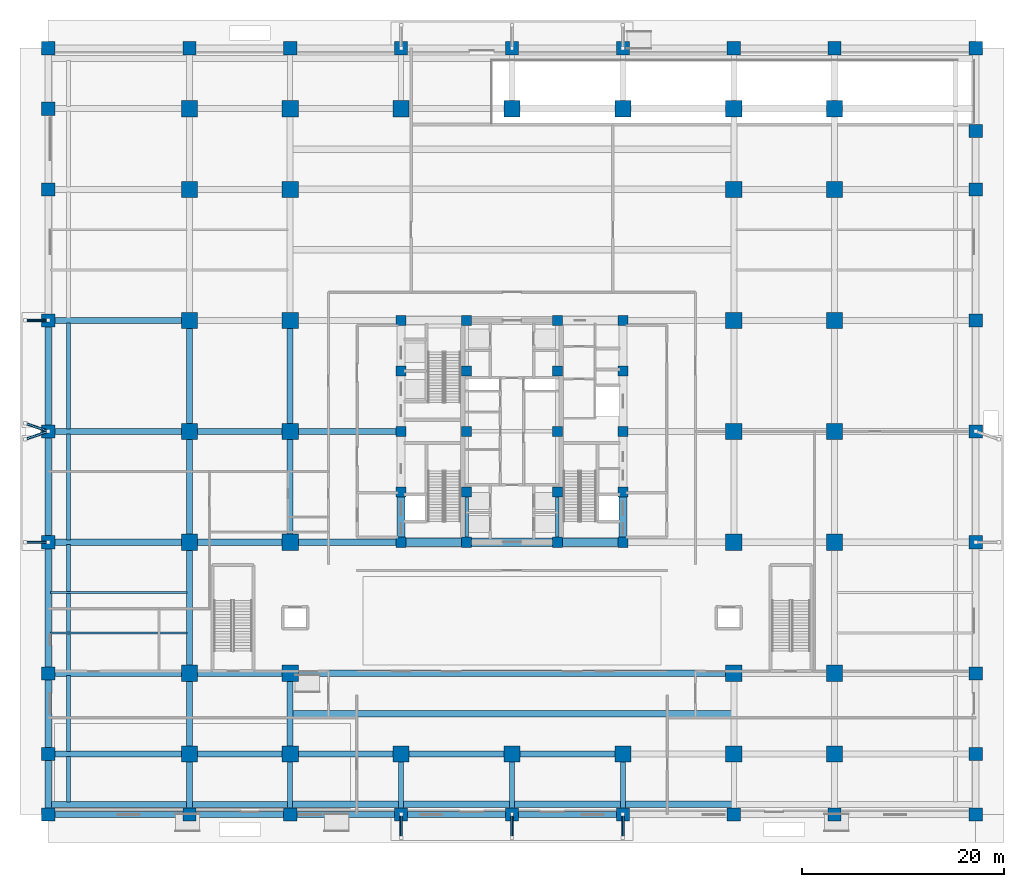
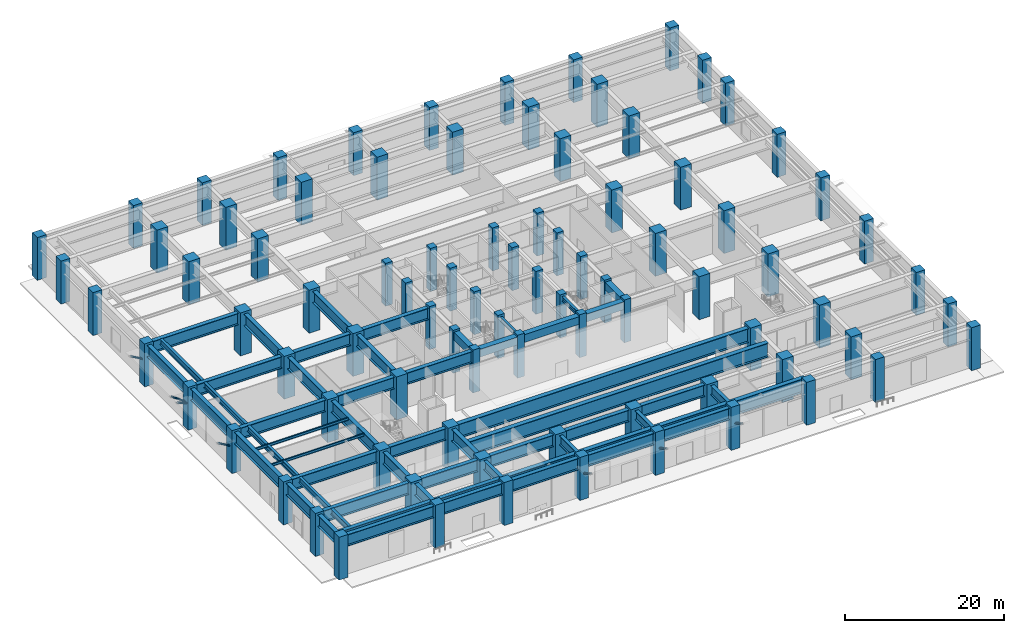
# One storey, part 1 of 21: 86 columns, 55 beams, 7 members.
"""IFC4 building model written with IfcOpenShell, lengths in metres."""

from ifc_helpers import new_model, si_unit, direction, frame, origin, origin_2d, place, context, subcontext, project, spatial, rectangle, hollow_circle, i_section, extrude, source, transform, mapped, material, material_profile, profile_set, type_object, element, save


model = new_model("IFC4")

# Units and contexts
model_context = context("Model", 3, precision=1e-05, world=origin(), true_north=direction((0.0, 1.0)))
body_context = subcontext(model_context, "Body", "Model", "MODEL_VIEW")
ifc_project = project(units=[si_unit("LENGTHUNIT", "METRE"), si_unit("AREAUNIT", "SQUARE_METRE"), si_unit("VOLUMEUNIT", "CUBIC_METRE"), si_unit("PLANEANGLEUNIT", "RADIAN"), si_unit("MASSUNIT", "GRAM", prefix="KILO")], contexts=[model_context])

# Site, building, storey
site_placement = place(None, origin())
site = spatial("IfcSite", under=ifc_project, at=site_placement, CompositionType="ELEMENT")
building_placement = place(site_placement, origin())
building = spatial("IfcBuilding", under=site, at=building_placement, Name="Khorayat Bourse Tower", CompositionType="ELEMENT")
storey_placement = place(building_placement, origin())
storey = spatial("IfcBuildingStorey", under=building, at=storey_placement, Name="L00", CompositionType="ELEMENT", Elevation=0.0)

# Columns
ifc_material_1 = material(Name="Concrete C72/90", Category="concrete")
ifc_material_profile_1 = material_profile(ifc_material_1, rectangle(XDim=1.300048828125, YDim=1.300048828125, at=origin_2d()), Name="RC 1300x1300")
ifc_profile_set_1 = profile_set([ifc_material_profile_1], Name="Concrete C72/90")
column_type_1 = type_object("IfcColumnType", Name="COL-MEGA-1300", PredefinedType="COLUMN", material=ifc_profile_set_1)
shared_shape_1 = source(origin(), body_context, "Body", "SweptSolid", [
    extrude(rectangle(XDim=1.300048828125, YDim=1.300048828125, at=origin_2d()), origin(), (0.0, 0.0, 1.0), 6.60009765625),
])
for number, where, z_axis, x_axis, name in (
    (1, (-46.0, -38.0, 0.0), (0.0, 0.0, 1.0), (1.0, 0.0, 0.0), "L00 Column 001"),
    (2, (-46.0, -24.0, 0.0), (0.0, 0.0, 1.0), (1.0, 0.0, 0.0), "L00 Column 002"),
    (3, (-46.0, -11.0, 0.0), (0.0, 0.0, 1.0), (1.0, 0.0, 0.0), "L00 Column 003"),
    (4, (-46.0, 0.0, 0.0), (0.0, 0.0, 1.0), (1.0, 0.0, 0.0), "L00 Column 004"),
    (5, (-46.0, 11.0, 0.0), (0.0, 0.0, 1.0), (1.0, 0.0, 0.0), "L00 Column 005"),
    (6, (-46.0, 24.0, 0.0), (0.0, 0.0, 1.0), (1.0, 0.0, 0.0), "L00 Column 006"),
    (7, (-46.0, 38.0, 0.0), (0.0, 0.0, 1.0), (1.0, 0.0, 0.0), "L00 Column 007"),
    (8, (-32.0, -38.0, 0.0), (0.0, 0.0, 1.0), (1.0, 0.0, 0.0), "L00 Column 008"),
    (9, (-32.0, 38.0, 0.0), (0.0, 0.0, 1.0), (1.0, 0.0, 0.0), "L00 Column 016"),
    (10, (-22.0, -38.0, 0.0), (0.0, 0.0, 1.0), (1.0, 0.0, 0.0), "L00 Column 017"),
    (11, (-22.0, 38.0, 0.0), (0.0, 0.0, 1.0), (1.0, 0.0, 0.0), "L00 Column 025"),
    (12, (-11.0, -38.0, 0.0), (0.0, 0.0, 1.0), (1.0, 0.0, 0.0), "L00 Column 026"),
    (13, (-11.0, 38.0, 0.0), (0.0, 0.0, 1.0), (1.0, 0.0, 0.0), "L00 Column 034"),
    (14, (0.0, -38.0, 0.0), (0.0, 0.0, 1.0), (1.0, 0.0, 0.0), "L00 Column 040"),
    (15, (0.0, 38.0, 0.0), (0.0, 0.0, 1.0), (1.0, 0.0, 0.0), "L00 Column 043"),
    (16, (11.0, -38.0, 0.0), (0.0, 0.0, 1.0), (1.0, 0.0, 0.0), "L00 Column 049"),
    (17, (11.0, 38.0, 0.0), (0.0, 0.0, 1.0), (1.0, 0.0, 0.0), "L00 Column 057"),
    (18, (22.0, -38.0, 0.0), (0.0, 0.0, 1.0), (1.0, 0.0, 0.0), "L00 Column 058"),
    (19, (22.0, 38.0, 0.0), (0.0, 0.0, 1.0), (1.0, 0.0, 0.0), "L00 Column 066"),
    (20, (32.0, -38.0, 0.0), (0.0, 0.0, 1.0), (1.0, 0.0, 0.0), "L00 Column 067"),
    (21, (32.0, 38.0, 0.0), (0.0, 0.0, 1.0), (1.0, 0.0, 0.0), "L00 Column 075"),
    (22, (46.0, -38.0, 0.0), (0.0, 0.0, 1.0), (1.0, 0.0, 0.0), "L00 Column 076"),
    (23, (46.0, -24.0, 0.0), (0.0, 0.0, 1.0), (1.0, 0.0, 0.0), "L00 Column 077"),
    (24, (46.0, -11.0, 0.0), (0.0, 0.0, 1.0), (1.0, 0.0, 0.0), "L00 Column 078"),
    (25, (46.0, 0.0, 0.0), (0.0, 0.0, 1.0), (1.0, 0.0, 0.0), "L00 Column 079"),
    (26, (46.0, 11.0, 0.0), (0.0, 0.0, 1.0), (1.0, 0.0, 0.0), "L00 Column 080"),
    (27, (46.0, 24.0, 0.0), (0.0, 0.0, 1.0), (1.0, 0.0, 0.0), "L00 Column 081"),
    (28, (46.0, 38.0, 0.0), (0.0, 0.0, 1.0), (1.0, 0.0, 0.0), "L00 Column 082"),
    (29, (-46.0, -32.0, 0.0), (0.0, 0.0, 1.0), (1.0, 0.0, 0.0), "L00 Perimeter Step Column 1"),
    (30, (-46.0, 32.0, 0.0), (0.0, 0.0, 1.0), (1.0, 0.0, 0.0), "L00 Perimeter Step Column 2"),
    (31, (46.0, -32.0, 0.0), (0.0, 0.0, 1.0), (1.0, 0.0, 0.0), "L00 Perimeter Step Column 3"),
    (32, (46.0, 29.800048828125, 0.0), (0.0, 0.0, 1.0), (1.0, 0.0, 0.0), "L00 Perimeter Step Column 4"),
):
    element("IfcColumn", number, at=place(storey_placement, frame(where, z_axis=z_axis, x_axis=x_axis)), inside=storey, type_object=column_type_1, Name=name, PredefinedType="COLUMN", context=body_context, shape_type="MappedRepresentation", body=[
        mapped(shared_shape_1, transform((0.0, 0.0, 0.0), scale=1.0)),
    ])
ifc_material_profile_2 = material_profile(ifc_material_1, rectangle(XDim=1.60009765625, YDim=1.60009765625, at=origin_2d()), Name="RC 1600x1600")
ifc_profile_set_2 = profile_set([ifc_material_profile_2], Name="Concrete C72/90")
column_type_2 = type_object("IfcColumnType", Name="COL-MEGA-1600", PredefinedType="COLUMN", material=ifc_profile_set_2)
shared_shape_2 = source(origin(), body_context, "Body", "SweptSolid", [
    extrude(rectangle(XDim=1.60009765625, YDim=1.60009765625, at=origin_2d()), origin(), (0.0, 0.0, 1.0), 6.60009765625),
])
for number, where, z_axis, x_axis, name in (
    (33, (-32.0, -32.0, 0.0), (0.0, 0.0, 1.0), (1.0, 0.0, 0.0), "L00 Column 009"),
    (34, (-32.0, -24.0, 0.0), (0.0, 0.0, 1.0), (1.0, 0.0, 0.0), "L00 Column 010"),
    (35, (-32.0, -11.0, 0.0), (0.0, 0.0, 1.0), (1.0, 0.0, 0.0), "L00 Column 011"),
    (36, (-32.0, 0.0, 0.0), (0.0, 0.0, 1.0), (1.0, 0.0, 0.0), "L00 Column 012"),
    (37, (-32.0, 11.0, 0.0), (0.0, 0.0, 1.0), (1.0, 0.0, 0.0), "L00 Column 013"),
    (38, (-32.0, 24.0, 0.0), (0.0, 0.0, 1.0), (1.0, 0.0, 0.0), "L00 Column 014"),
    (39, (-32.0, 32.0, 0.0), (0.0, 0.0, 1.0), (1.0, 0.0, 0.0), "L00 Column 015"),
    (40, (-22.0, -32.0, 0.0), (0.0, 0.0, 1.0), (1.0, 0.0, 0.0), "L00 Column 018"),
    (41, (-22.0, -24.0, 0.0), (0.0, 0.0, 1.0), (1.0, 0.0, 0.0), "L00 Column 019"),
    (42, (-22.0, -11.0, 0.0), (0.0, 0.0, 1.0), (1.0, 0.0, 0.0), "L00 Column 020"),
    (43, (-22.0, 0.0, 0.0), (0.0, 0.0, 1.0), (1.0, 0.0, 0.0), "L00 Column 021"),
    (44, (-22.0, 11.0, 0.0), (0.0, 0.0, 1.0), (1.0, 0.0, 0.0), "L00 Column 022"),
    (45, (-22.0, 24.0, 0.0), (0.0, 0.0, 1.0), (1.0, 0.0, 0.0), "L00 Column 023"),
    (46, (-22.0, 32.0, 0.0), (0.0, 0.0, 1.0), (1.0, 0.0, 0.0), "L00 Column 024"),
    (47, (-11.0, -32.0, 0.0), (0.0, 0.0, 1.0), (1.0, 0.0, 0.0), "L00 Column 027"),
    (48, (-11.0, 32.0, 0.0), (0.0, 0.0, 1.0), (1.0, 0.0, 0.0), "L00 Column 033"),
    (49, (0.0, -32.0, 0.0), (0.0, 0.0, 1.0), (1.0, 0.0, 0.0), "L00 Column 041"),
    (50, (0.0, 32.0, 0.0), (0.0, 0.0, 1.0), (1.0, 0.0, 0.0), "L00 Column 042"),
    (51, (11.0, -32.0, 0.0), (0.0, 0.0, 1.0), (1.0, 0.0, 0.0), "L00 Column 050"),
    (52, (11.0, 32.0, 0.0), (0.0, 0.0, 1.0), (1.0, 0.0, 0.0), "L00 Column 056"),
    (53, (22.0, -32.0, 0.0), (0.0, 0.0, 1.0), (1.0, 0.0, 0.0), "L00 Column 059"),
    (54, (22.0, -24.0, 0.0), (0.0, 0.0, 1.0), (1.0, 0.0, 0.0), "L00 Column 060"),
    (55, (22.0, -11.0, 0.0), (0.0, 0.0, 1.0), (1.0, 0.0, 0.0), "L00 Column 061"),
    (56, (22.0, 0.0, 0.0), (0.0, 0.0, 1.0), (1.0, 0.0, 0.0), "L00 Column 062"),
    (57, (22.0, 11.0, 0.0), (0.0, 0.0, 1.0), (1.0, 0.0, 0.0), "L00 Column 063"),
    (58, (22.0, 24.0, 0.0), (0.0, 0.0, 1.0), (1.0, 0.0, 0.0), "L00 Column 064"),
    (59, (22.0, 32.0, 0.0), (0.0, 0.0, 1.0), (1.0, 0.0, 0.0), "L00 Column 065"),
    (60, (32.0, -32.0, 0.0), (0.0, 0.0, 1.0), (1.0, 0.0, 0.0), "L00 Column 068"),
    (61, (32.0, -24.0, 0.0), (0.0, 0.0, 1.0), (1.0, 0.0, 0.0), "L00 Column 069"),
    (62, (32.0, -11.0, 0.0), (0.0, 0.0, 1.0), (1.0, 0.0, 0.0), "L00 Column 070"),
    (63, (32.0, 0.0, 0.0), (0.0, 0.0, 1.0), (1.0, 0.0, 0.0), "L00 Column 071"),
    (64, (32.0, 11.0, 0.0), (0.0, 0.0, 1.0), (1.0, 0.0, 0.0), "L00 Column 072"),
    (65, (32.0, 24.0, 0.0), (0.0, 0.0, 1.0), (1.0, 0.0, 0.0), "L00 Column 073"),
    (66, (32.0, 32.0, 0.0), (0.0, 0.0, 1.0), (1.0, 0.0, 0.0), "L00 Column 074"),
):
    element("IfcColumn", number, at=place(storey_placement, frame(where, z_axis=z_axis, x_axis=x_axis)), inside=storey, type_object=column_type_2, Name=name, PredefinedType="COLUMN", context=body_context, shape_type="MappedRepresentation", body=[
        mapped(shared_shape_2, transform((0.0, 0.0, 0.0), scale=1.0)),
    ])
ifc_material_profile_3 = material_profile(ifc_material_1, rectangle(XDim=1.0, YDim=1.0, at=origin_2d()), Name="RC 1000x1000")
ifc_profile_set_3 = profile_set([ifc_material_profile_3], Name="Concrete C72/90")
column_type_3 = type_object("IfcColumnType", Name="COL-CORE-1000", PredefinedType="COLUMN", material=ifc_profile_set_3)
shared_shape_3 = source(origin(), body_context, "Body", "SweptSolid", [
    extrude(rectangle(XDim=1.0, YDim=1.0, at=origin_2d()), origin(), (0.0, 0.0, 1.0), 6.60009765625),
])
for number, where, z_axis, x_axis, name in (
    (67, (-11.0, -11.0, 0.0), (0.0, 0.0, 1.0), (1.0, 0.0, 0.0), "L00 Column 028"),
    (68, (-11.0, -6.0, 0.0), (0.0, 0.0, 1.0), (1.0, 0.0, 0.0), "L00 Column 029"),
    (69, (-11.0, 0.0, 0.0), (0.0, 0.0, 1.0), (1.0, 0.0, 0.0), "L00 Column 030"),
    (70, (-11.0, 6.0, 0.0), (0.0, 0.0, 1.0), (1.0, 0.0, 0.0), "L00 Column 031"),
    (71, (-11.0, 11.0, 0.0), (0.0, 0.0, 1.0), (1.0, 0.0, 0.0), "L00 Column 032"),
    (72, (-4.5, -11.0, 0.0), (0.0, 0.0, 1.0), (1.0, 0.0, 0.0), "L00 Column 035"),
    (73, (-4.5, -6.0, 0.0), (0.0, 0.0, 1.0), (1.0, 0.0, 0.0), "L00 Column 036"),
    (74, (-4.5, 0.0, 0.0), (0.0, 0.0, 1.0), (1.0, 0.0, 0.0), "L00 Column 037"),
    (75, (-4.5, 6.0, 0.0), (0.0, 0.0, 1.0), (1.0, 0.0, 0.0), "L00 Column 038"),
    (76, (-4.5, 11.0, 0.0), (0.0, 0.0, 1.0), (1.0, 0.0, 0.0), "L00 Column 039"),
    (77, (4.5, -11.0, 0.0), (0.0, 0.0, 1.0), (1.0, 0.0, 0.0), "L00 Column 044"),
    (78, (4.5, -6.0, 0.0), (0.0, 0.0, 1.0), (1.0, 0.0, 0.0), "L00 Column 045"),
    (79, (4.5, 0.0, 0.0), (0.0, 0.0, 1.0), (1.0, 0.0, 0.0), "L00 Column 046"),
    (80, (4.5, 6.0, 0.0), (0.0, 0.0, 1.0), (1.0, 0.0, 0.0), "L00 Column 047"),
    (81, (4.5, 11.0, 0.0), (0.0, 0.0, 1.0), (1.0, 0.0, 0.0), "L00 Column 048"),
    (82, (11.0, -11.0, 0.0), (0.0, 0.0, 1.0), (1.0, 0.0, 0.0), "L00 Column 051"),
    (83, (11.0, -6.0, 0.0), (0.0, 0.0, 1.0), (1.0, 0.0, 0.0), "L00 Column 052"),
    (84, (11.0, 0.0, 0.0), (0.0, 0.0, 1.0), (1.0, 0.0, 0.0), "L00 Column 053"),
    (85, (11.0, 6.0, 0.0), (0.0, 0.0, 1.0), (1.0, 0.0, 0.0), "L00 Column 054"),
    (86, (11.0, 11.0, 0.0), (0.0, 0.0, 1.0), (1.0, 0.0, 0.0), "L00 Column 055"),
):
    element("IfcColumn", number, at=place(storey_placement, frame(where, z_axis=z_axis, x_axis=x_axis)), inside=storey, type_object=column_type_3, Name=name, PredefinedType="COLUMN", context=body_context, shape_type="MappedRepresentation", body=[
        mapped(shared_shape_3, transform((0.0, 0.0, 0.0), scale=1.0)),
    ])

# Members
ifc_material_2 = material(Name="Steel EN 10025-2 S355J2", Category="steel")
ifc_material_profile_4 = material_profile(ifc_material_2, hollow_circle(Radius=0.136474609375, WallThickness=0.012451171875, at=origin_2d()), Name="CHS 273x12.5")
ifc_profile_set_4 = profile_set([ifc_material_profile_4], Name="Steel EN 10025-2 S355J2")
member_type = type_object("IfcMemberType", Name="MBR-CANOPY-273", PredefinedType="STRUT", material=ifc_profile_set_4)
shared_shape_4 = source(origin(), body_context, "Body", "SweptSolid", [
    extrude(hollow_circle(Radius=0.136474609375, WallThickness=0.012451171875, at=origin_2d()), origin(), (0.0, 0.0, 1.0), 2.65185546875),
])
for number, where, z_axis, x_axis, name in (
    (87, (-11.0, -38.0, 3.60009765625), (0.0, -0.867346571569, 0.497704656183), (1.0, 0.0, 0.0), "L00 Canopy Strut S-IWAN-1"),
    (88, (0.0, -38.0, 3.60009765625), (0.0, -0.867346571569, 0.497704656183), (1.0, 0.0, 0.0), "L00 Canopy Strut S-IWAN-2"),
    (89, (11.0, -38.0, 3.60009765625), (0.0, -0.867346571569, 0.497704656183), (1.0, 0.0, 0.0), "L00 Canopy Strut S-IWAN-3"),
    (90, (-46.0, -11.0, 3.60009765625), (-0.867346571569, 0.0, 0.497704656183), (0.0, -1.0, 0.0), "L00 Canopy Strut W-ARC-1-1"),
    (91, (-46.0, 11.0, 3.60009765625), (-0.867346571569, 0.0, 0.497704656183), (0.0, -1.0, 0.0), "L00 Canopy Strut W-ARC-2-2"),
):
    element("IfcMember", number, at=place(storey_placement, frame(where, z_axis=z_axis, x_axis=x_axis)), inside=storey, type_object=member_type, Name=name, PredefinedType="STRUT", context=body_context, shape_type="MappedRepresentation", body=[
        mapped(shared_shape_4, transform((0.0, 0.0, 0.0), scale=1.0)),
    ])
shared_shape_5 = source(origin(), body_context, "Body", "SweptSolid", [
    extrude(hollow_circle(Radius=0.136474609375, WallThickness=0.012451171875, at=origin_2d()), origin(), (0.0, 0.0, 1.0), 2.769775390625),
])
for number, where, z_axis, x_axis, name in (
    (92, (-46.0, 0.0, 3.60009765625), (-0.830378321271, -0.288838738861, 0.476491370852), (0.328532290219, -0.944492739137, 0.0), "L00 Canopy Strut W-ARC-1-2"),
    (93, (-46.0, 0.0, 3.60009765625), (-0.830378321271, 0.288838738861, 0.476491370852), (-0.328532290219, -0.944492739137, 0.0), "L00 Canopy Strut W-ARC-2-1"),
):
    element("IfcMember", number, at=place(storey_placement, frame(where, z_axis=z_axis, x_axis=x_axis)), inside=storey, type_object=member_type, Name=name, PredefinedType="STRUT", context=body_context, shape_type="MappedRepresentation", body=[
        mapped(shared_shape_5, transform((0.0, 0.0, 0.0), scale=1.0)),
    ])

# Beams
ifc_material_profile_5 = material_profile(ifc_material_1, rectangle(XDim=0.800048828125, YDim=1.199951171875, at=origin_2d()), Name="RC 800x1200")
ifc_profile_set_5 = profile_set([ifc_material_profile_5], Name="Concrete C72/90")
beam_type_1 = type_object("IfcBeamType", Name="BM-COUP-1200", PredefinedType="BEAM", material=ifc_profile_set_5)
shared_shape_6 = source(origin(), body_context, "Body", "SweptSolid", [
    extrude(rectangle(XDim=0.800048828125, YDim=1.199951171875, at=origin_2d()), origin(), (0.0, 0.0, 1.0), 5.0),
])
for number, where, z_axis, x_axis, name in (
    (94, (-11.0, -11.0, 5.679931640625), (0.0, 1.0, 0.0), (-1.0, 0.0, 0.0), "L00 BM-COUP-1200 BM-L00-CRX-01"),
    (95, (11.0, -11.0, 5.679931640625), (0.0, 1.0, 0.0), (-1.0, 0.0, 0.0), "L00 BM-COUP-1200 BM-L00-CRX-13"),
):
    element("IfcBeam", number, at=place(storey_placement, frame(where, z_axis=z_axis, x_axis=x_axis)), inside=storey, type_object=beam_type_1, Name=name, PredefinedType="BEAM", context=body_context, shape_type="MappedRepresentation", body=[
        mapped(shared_shape_6, transform((0.0, 0.0, 0.0), scale=1.0)),
    ])
ifc_material_3 = material(Name="Steel ASTM A992 Grade 50", Category="steel")
ifc_material_profile_6 = material_profile(ifc_material_3, i_section(OverallWidth=0.35498046875, OverallDepth=0.695068359375, WebThickness=0.015380859375, FlangeThickness=0.02490234375, FilletRadius=0.01806640625, at=origin_2d()), Name="W690X217")
ifc_profile_set_6 = profile_set([ifc_material_profile_6], Name="Steel ASTM A992 Grade 50")
beam_type_2 = type_object("IfcBeamType", Name="BM-GIRD-690", PredefinedType="BEAM", material=ifc_profile_set_6)
shared_shape_7 = source(origin(), body_context, "Body", "SweptSolid", [
    extrude(i_section(OverallWidth=0.35498046875, OverallDepth=0.695068359375, WebThickness=0.015380859375, FlangeThickness=0.02490234375, FilletRadius=0.01806640625, at=origin_2d()), origin(), (0.0, 0.0, 1.0), 5.0),
])
for number, where, z_axis, x_axis, name in (
    (96, (-4.5, -11.0, 5.9326171875), (0.0, 1.0, 0.0), (-1.0, 0.0, 0.0), "L00 BM-GIRD-690 BM-L00-CRX-05"),
    (97, (4.5, -11.0, 5.9326171875), (0.0, 1.0, 0.0), (-1.0, 0.0, 0.0), "L00 BM-GIRD-690 BM-L00-CRX-09"),
):
    element("IfcBeam", number, at=place(storey_placement, frame(where, z_axis=z_axis, x_axis=x_axis)), inside=storey, type_object=beam_type_2, Name=name, PredefinedType="BEAM", context=body_context, shape_type="MappedRepresentation", body=[
        mapped(shared_shape_7, transform((0.0, 0.0, 0.0), scale=1.0)),
    ])
shared_shape_8 = source(origin(), body_context, "Body", "SweptSolid", [
    extrude(rectangle(XDim=0.800048828125, YDim=1.199951171875, at=origin_2d()), origin(), (0.0, 0.0, 1.0), 6.5),
])
for number, where, z_axis, x_axis, name in (
    (98, (-11.0, -11.0, 5.679931640625), (1.0, 0.0, 0.0), (0.0, 1.0, 0.0), "L00 BM-COUP-1200 BM-L00-CRY-17"),
    (99, (4.5, -11.0, 5.679931640625), (1.0, 0.0, 0.0), (0.0, 1.0, 0.0), "L00 BM-COUP-1200 BM-L00-CRY-19"),
):
    element("IfcBeam", number, at=place(storey_placement, frame(where, z_axis=z_axis, x_axis=x_axis)), inside=storey, type_object=beam_type_1, Name=name, PredefinedType="BEAM", context=body_context, shape_type="MappedRepresentation", body=[
        mapped(shared_shape_8, transform((0.0, 0.0, 0.0), scale=1.0)),
    ])
shared_shape_9 = source(origin(), body_context, "Body", "SweptSolid", [
    extrude(rectangle(XDim=0.800048828125, YDim=1.199951171875, at=origin_2d()), origin(), (0.0, 0.0, 1.0), 9.0),
])
beam_1_placement = place(storey_placement, frame((-4.5, -11.0, 5.679931640625), z_axis=(1.0, 0.0, 0.0), x_axis=(0.0, 1.0, 0.0)))
element("IfcBeam", 100, at=beam_1_placement, inside=storey, type_object=beam_type_1, Name="L00 BM-COUP-1200 BM-L00-CRY-18", PredefinedType="BEAM", context=body_context, shape_type="MappedRepresentation", body=[
    mapped(shared_shape_9, transform((0.0, 0.0, 0.0), scale=1.0)),
])
ifc_material_4 = material(Name="Steel EN 10025-4 S460M", Category="steel")
ifc_material_profile_7 = material_profile(ifc_material_4, i_section(OverallWidth=0.60009765625, OverallDepth=1.800048828125, WebThickness=0.031982421875, FlangeThickness=0.06005859375, at=origin_2d()), Name="PG 1800x600x32x60")
ifc_profile_set_7 = profile_set([ifc_material_profile_7], Name="Steel EN 10025-4 S460M")
beam_type_3 = type_object("IfcBeamType", Name="BM-TR-1800", PredefinedType="BEAM", material=ifc_profile_set_7)
shared_shape_10 = source(origin(), body_context, "Body", "SweptSolid", [
    extrude(i_section(OverallWidth=0.60009765625, OverallDepth=1.800048828125, WebThickness=0.031982421875, FlangeThickness=0.06005859375, at=origin_2d()), origin(), (0.0, 0.0, 1.0), 14.0),
])
for number, where, z_axis, x_axis, name in (
    (101, (-46.0, -38.0, 5.3798828125), (1.0, 0.0, 0.0), (0.0, 1.0, 0.0), "L00 BM-TR-1800 BM-L00-PGX-024"),
    (102, (-46.0, -37.0, 5.3798828125), (1.0, 0.0, 0.0), (0.0, 1.0, 0.0), "L00 BM-TR-1800 BM-L00-PGX-032"),
    (103, (-46.0, -32.0, 5.3798828125), (1.0, 0.0, 0.0), (0.0, 1.0, 0.0), "L00 BM-TR-1800 BM-L00-PGX-037"),
    (104, (-46.0, -24.0, 5.3798828125), (1.0, 0.0, 0.0), (0.0, 1.0, 0.0), "L00 BM-TR-1800 BM-L00-PGX-045"),
    (105, (-46.0, -11.0, 5.3798828125), (1.0, 0.0, 0.0), (0.0, 1.0, 0.0), "L00 BM-TR-1800 BM-L00-PGX-050"),
    (106, (-46.0, 0.0, 5.3798828125), (1.0, 0.0, 0.0), (0.0, 1.0, 0.0), "L00 BM-TR-1800 BM-L00-PGX-059"),
    (107, (-46.0, 11.0, 5.3798828125), (1.0, 0.0, 0.0), (0.0, 1.0, 0.0), "L00 BM-TR-1800 BM-L00-PGX-065"),
):
    element("IfcBeam", number, at=place(storey_placement, frame(where, z_axis=z_axis, x_axis=x_axis)), inside=storey, type_object=beam_type_3, Name=name, PredefinedType="BEAM", context=body_context, shape_type="MappedRepresentation", body=[
        mapped(shared_shape_10, transform((0.0, 0.0, 0.0), scale=1.0)),
    ])
shared_shape_11 = source(origin(), body_context, "Body", "SweptSolid", [
    extrude(i_section(OverallWidth=0.60009765625, OverallDepth=1.800048828125, WebThickness=0.031982421875, FlangeThickness=0.06005859375, at=origin_2d()), origin(), (0.0, 0.0, 1.0), 10.0),
])
for number, where, z_axis, x_axis, name in (
    (108, (-32.0, -38.0, 5.3798828125), (1.0, 0.0, 0.0), (0.0, 1.0, 0.0), "L00 BM-TR-1800 BM-L00-PGX-025"),
    (109, (-32.0, -37.0, 5.3798828125), (1.0, 0.0, 0.0), (0.0, 1.0, 0.0), "L00 BM-TR-1800 BM-L00-PGX-033"),
    (110, (-32.0, -32.0, 5.3798828125), (1.0, 0.0, 0.0), (0.0, 1.0, 0.0), "L00 BM-TR-1800 BM-L00-PGX-038"),
    (111, (-32.0, -24.0, 5.3798828125), (1.0, 0.0, 0.0), (0.0, 1.0, 0.0), "L00 BM-TR-1800 BM-L00-PGX-046"),
    (112, (-32.0, -11.0, 5.3798828125), (1.0, 0.0, 0.0), (0.0, 1.0, 0.0), "L00 BM-TR-1800 BM-L00-PGX-051"),
    (113, (-32.0, 0.0, 5.3798828125), (1.0, 0.0, 0.0), (0.0, 1.0, 0.0), "L00 BM-TR-1800 BM-L00-PGX-060"),
):
    element("IfcBeam", number, at=place(storey_placement, frame(where, z_axis=z_axis, x_axis=x_axis)), inside=storey, type_object=beam_type_3, Name=name, PredefinedType="BEAM", context=body_context, shape_type="MappedRepresentation", body=[
        mapped(shared_shape_11, transform((0.0, 0.0, 0.0), scale=1.0)),
    ])
shared_shape_12 = source(origin(), body_context, "Body", "SweptSolid", [
    extrude(i_section(OverallWidth=0.60009765625, OverallDepth=1.800048828125, WebThickness=0.031982421875, FlangeThickness=0.06005859375, at=origin_2d()), origin(), (0.0, 0.0, 1.0), 11.0),
])
for number, where, z_axis, x_axis, name in (
    (114, (-22.0, -38.0, 5.3798828125), (1.0, 0.0, 0.0), (0.0, 1.0, 0.0), "L00 BM-TR-1800 BM-L00-PGX-026"),
    (115, (-11.0, -38.0, 5.3798828125), (1.0, 0.0, 0.0), (0.0, 1.0, 0.0), "L00 BM-TR-1800 BM-L00-PGX-027"),
    (116, (0.0, -38.0, 5.3798828125), (1.0, 0.0, 0.0), (0.0, 1.0, 0.0), "L00 BM-TR-1800 BM-L00-PGX-028"),
    (117, (-22.0, -32.0, 5.3798828125), (1.0, 0.0, 0.0), (0.0, 1.0, 0.0), "L00 BM-TR-1800 BM-L00-PGX-039"),
    (118, (-11.0, -32.0, 5.3798828125), (1.0, 0.0, 0.0), (0.0, 1.0, 0.0), "L00 BM-TR-1800 BM-L00-PGX-040"),
    (119, (0.0, -32.0, 5.3798828125), (1.0, 0.0, 0.0), (0.0, 1.0, 0.0), "L00 BM-TR-1800 BM-L00-PGX-041"),
    (120, (-22.0, -11.0, 5.3798828125), (1.0, 0.0, 0.0), (0.0, 1.0, 0.0), "L00 BM-TR-1800 BM-L00-PGX-052"),
    (121, (-22.0, 0.0, 5.3798828125), (1.0, 0.0, 0.0), (0.0, 1.0, 0.0), "L00 BM-TR-1800 BM-L00-PGX-061"),
    (122, (-46.0, -11.0, 5.3798828125), (0.0, 1.0, 0.0), (-1.0, 0.0, 0.0), "L00 BM-TR-1800 BM-L00-PGY-103"),
    (123, (-46.0, 0.0, 5.3798828125), (0.0, 1.0, 0.0), (-1.0, 0.0, 0.0), "L00 BM-TR-1800 BM-L00-PGY-104"),
    (124, (-32.0, -11.0, 5.3798828125), (0.0, 1.0, 0.0), (-1.0, 0.0, 0.0), "L00 BM-TR-1800 BM-L00-PGY-119"),
    (125, (-32.0, 0.0, 5.3798828125), (0.0, 1.0, 0.0), (-1.0, 0.0, 0.0), "L00 BM-TR-1800 BM-L00-PGY-120"),
    (126, (-22.0, -11.0, 5.3798828125), (0.0, 1.0, 0.0), (-1.0, 0.0, 0.0), "L00 BM-TR-1800 BM-L00-PGY-126"),
    (127, (-22.0, 0.0, 5.3798828125), (0.0, 1.0, 0.0), (-1.0, 0.0, 0.0), "L00 BM-TR-1800 BM-L00-PGY-127"),
):
    element("IfcBeam", number, at=place(storey_placement, frame(where, z_axis=z_axis, x_axis=x_axis)), inside=storey, type_object=beam_type_3, Name=name, PredefinedType="BEAM", context=body_context, shape_type="MappedRepresentation", body=[
        mapped(shared_shape_12, transform((0.0, 0.0, 0.0), scale=1.0)),
    ])
shared_shape_13 = source(origin(), body_context, "Body", "SweptSolid", [
    extrude(i_section(OverallWidth=0.60009765625, OverallDepth=1.800048828125, WebThickness=0.031982421875, FlangeThickness=0.06005859375, at=origin_2d()), origin(), (0.0, 0.0, 1.0), 6.0),
])
for number, where, z_axis, x_axis, name in (
    (128, (-46.0, -38.0, 5.3798828125), (0.0, 1.0, 0.0), (-1.0, 0.0, 0.0), "L00 BM-TR-1800 BM-L00-PGY-100"),
    (129, (-32.0, -38.0, 5.3798828125), (0.0, 1.0, 0.0), (-1.0, 0.0, 0.0), "L00 BM-TR-1800 BM-L00-PGY-116"),
):
    element("IfcBeam", number, at=place(storey_placement, frame(where, z_axis=z_axis, x_axis=x_axis)), inside=storey, type_object=beam_type_3, Name=name, PredefinedType="BEAM", context=body_context, shape_type="MappedRepresentation", body=[
        mapped(shared_shape_13, transform((0.0, 0.0, 0.0), scale=1.0)),
    ])
shared_shape_14 = source(origin(), body_context, "Body", "SweptSolid", [
    extrude(i_section(OverallWidth=0.60009765625, OverallDepth=1.800048828125, WebThickness=0.031982421875, FlangeThickness=0.06005859375, at=origin_2d()), origin(), (0.0, 0.0, 1.0), 8.0),
])
for number, where, z_axis, x_axis, name in (
    (130, (-46.0, -32.0, 5.3798828125), (0.0, 1.0, 0.0), (-1.0, 0.0, 0.0), "L00 BM-TR-1800 BM-L00-PGY-101"),
    (131, (-32.0, -32.0, 5.3798828125), (0.0, 1.0, 0.0), (-1.0, 0.0, 0.0), "L00 BM-TR-1800 BM-L00-PGY-117"),
    (132, (-22.0, -32.0, 5.3798828125), (0.0, 1.0, 0.0), (-1.0, 0.0, 0.0), "L00 BM-TR-1800 BM-L00-PGY-125"),
):
    element("IfcBeam", number, at=place(storey_placement, frame(where, z_axis=z_axis, x_axis=x_axis)), inside=storey, type_object=beam_type_3, Name=name, PredefinedType="BEAM", context=body_context, shape_type="MappedRepresentation", body=[
        mapped(shared_shape_14, transform((0.0, 0.0, 0.0), scale=1.0)),
    ])
shared_shape_15 = source(origin(), body_context, "Body", "SweptSolid", [
    extrude(i_section(OverallWidth=0.60009765625, OverallDepth=1.800048828125, WebThickness=0.031982421875, FlangeThickness=0.06005859375, at=origin_2d()), origin(), (0.0, 0.0, 1.0), 13.0),
])
for number, where, z_axis, x_axis, name in (
    (133, (-46.0, -24.0, 5.3798828125), (0.0, 1.0, 0.0), (-1.0, 0.0, 0.0), "L00 BM-TR-1800 BM-L00-PGY-102"),
    (134, (-32.0, -24.0, 5.3798828125), (0.0, 1.0, 0.0), (-1.0, 0.0, 0.0), "L00 BM-TR-1800 BM-L00-PGY-118"),
):
    element("IfcBeam", number, at=place(storey_placement, frame(where, z_axis=z_axis, x_axis=x_axis)), inside=storey, type_object=beam_type_3, Name=name, PredefinedType="BEAM", context=body_context, shape_type="MappedRepresentation", body=[
        mapped(shared_shape_15, transform((0.0, 0.0, 0.0), scale=1.0)),
    ])
ifc_material_profile_8 = material_profile(ifc_material_4, i_section(OverallWidth=0.5, OverallDepth=1.39990234375, WebThickness=0.02490234375, FlangeThickness=0.050048828125, at=origin_2d()), Name="PG 1400x500x25x50")
ifc_profile_set_8 = profile_set([ifc_material_profile_8], Name="Steel EN 10025-4 S460M")
beam_type_4 = type_object("IfcBeamType", Name="BM-TR-1400", PredefinedType="BEAM", material=ifc_profile_set_8)
shared_shape_16 = source(origin(), body_context, "Body", "SweptSolid", [
    extrude(i_section(OverallWidth=0.5, OverallDepth=1.39990234375, WebThickness=0.02490234375, FlangeThickness=0.050048828125, at=origin_2d()), origin(), (0.0, 0.0, 1.0), 6.0),
])
for number, where, z_axis, x_axis, name in (
    (135, (-22.0, -38.0, 5.580078125), (0.0, 1.0, 0.0), (-1.0, 0.0, 0.0), "L00 BM-TR-1400 BM-L00-PGY-124"),
    (136, (-11.0, -38.0, 5.580078125), (0.0, 1.0, 0.0), (-1.0, 0.0, 0.0), "L00 BM-TR-1400 BM-L00-PGY-131"),
    (137, (0.0, -38.0, 5.580078125), (0.0, 1.0, 0.0), (-1.0, 0.0, 0.0), "L00 BM-TR-1400 BM-L00-PGY-134"),
    (138, (11.0, -38.0, 5.580078125), (0.0, 1.0, 0.0), (-1.0, 0.0, 0.0), "L00 BM-TR-1400 BM-L00-PGY-136"),
):
    element("IfcBeam", number, at=place(storey_placement, frame(where, z_axis=z_axis, x_axis=x_axis)), inside=storey, type_object=beam_type_4, Name=name, PredefinedType="BEAM", context=body_context, shape_type="MappedRepresentation", body=[
        mapped(shared_shape_16, transform((0.0, 0.0, 0.0), scale=1.0)),
    ])
ifc_material_profile_9 = material_profile(ifc_material_4, i_section(OverallWidth=0.64990234375, OverallDepth=2.199951171875, WebThickness=0.035888671875, FlangeThickness=0.06494140625, at=origin_2d()), Name="PG 2200x650x36x65")
ifc_profile_set_9 = profile_set([ifc_material_profile_9], Name="Steel EN 10025-4 S460M")
beam_type_5 = type_object("IfcBeamType", Name="BM-TR-2200", PredefinedType="BEAM", material=ifc_profile_set_9)
shared_shape_17 = source(origin(), body_context, "Body", "SweptSolid", [
    extrude(i_section(OverallWidth=0.64990234375, OverallDepth=2.199951171875, WebThickness=0.035888671875, FlangeThickness=0.06494140625, at=origin_2d()), origin(), (0.0, 0.0, 1.0), 44.0),
])
for number, where, z_axis, x_axis, name in (
    (139, (-22.0, -37.0, 5.179931640625), (1.0, 0.0, 0.0), (0.0, 1.0, 0.0), "L00 BM-TR-2200 BM-L00-PGX-034"),
    (140, (-22.0, -24.0, 5.179931640625), (1.0, 0.0, 0.0), (0.0, 1.0, 0.0), "L00 BM-TR-2200 BM-L00-PGX-047"),
):
    element("IfcBeam", number, at=place(storey_placement, frame(where, z_axis=z_axis, x_axis=x_axis)), inside=storey, type_object=beam_type_5, Name=name, PredefinedType="BEAM", context=body_context, shape_type="MappedRepresentation", body=[
        mapped(shared_shape_17, transform((0.0, 0.0, 0.0), scale=1.0)),
    ])
ifc_material_profile_10 = material_profile(ifc_material_3, i_section(OverallWidth=0.39990234375, OverallDepth=0.85498046875, WebThickness=0.018310546875, FlangeThickness=0.029296875, FilletRadius=0.02001953125, at=origin_2d()), Name="W840X299")
ifc_profile_set_10 = profile_set([ifc_material_profile_10], Name="Steel ASTM A992 Grade 50")
beam_type_6 = type_object("IfcBeamType", Name="BM-GIRD-840", PredefinedType="BEAM", material=ifc_profile_set_10)
shared_shape_18 = source(origin(), body_context, "Body", "SweptSolid", [
    extrude(i_section(OverallWidth=0.39990234375, OverallDepth=0.85498046875, WebThickness=0.018310546875, FlangeThickness=0.029296875, FilletRadius=0.02001953125, at=origin_2d()), origin(), (0.0, 0.0, 1.0), 4.52001953125),
])
beam_2_placement = place(storey_placement, frame((-44.0, -36.760009765625, 5.8525390625), z_axis=(0.0, 1.0, 0.0), x_axis=(-1.0, 0.0, 0.0)))
element("IfcBeam", 141, at=beam_2_placement, inside=storey, type_object=beam_type_6, Name="L00 BM-GIRD-840 BM-L00-PGY-108", PredefinedType="BEAM", context=body_context, shape_type="MappedRepresentation", body=[
    mapped(shared_shape_18, transform((0.0, 0.0, 0.0), scale=1.0)),
])
shared_shape_19 = source(origin(), body_context, "Body", "SweptSolid", [
    extrude(i_section(OverallWidth=0.39990234375, OverallDepth=0.85498046875, WebThickness=0.018310546875, FlangeThickness=0.029296875, FilletRadius=0.02001953125, at=origin_2d()), origin(), (0.0, 0.0, 1.0), 7.52001953125),
])
beam_3_placement = place(storey_placement, frame((-44.0, -31.760009765625, 5.8525390625), z_axis=(0.0, 1.0, 0.0), x_axis=(-1.0, 0.0, 0.0)))
element("IfcBeam", 142, at=beam_3_placement, inside=storey, type_object=beam_type_6, Name="L00 BM-GIRD-840 BM-L00-PGY-109", PredefinedType="BEAM", context=body_context, shape_type="MappedRepresentation", body=[
    mapped(shared_shape_19, transform((0.0, 0.0, 0.0), scale=1.0)),
])
shared_shape_20 = source(origin(), body_context, "Body", "SweptSolid", [
    extrude(i_section(OverallWidth=0.39990234375, OverallDepth=0.85498046875, WebThickness=0.018310546875, FlangeThickness=0.029296875, FilletRadius=0.02001953125, at=origin_2d()), origin(), (0.0, 0.0, 1.0), 12.52001953125),
])
beam_4_placement = place(storey_placement, frame((-44.0, -23.760009765625, 5.8525390625), z_axis=(0.0, 1.0, 0.0), x_axis=(-1.0, 0.0, 0.0)))
element("IfcBeam", 143, at=beam_4_placement, inside=storey, type_object=beam_type_6, Name="L00 BM-GIRD-840 BM-L00-PGY-110", PredefinedType="BEAM", context=body_context, shape_type="MappedRepresentation", body=[
    mapped(shared_shape_20, transform((0.0, 0.0, 0.0), scale=1.0)),
])
shared_shape_21 = source(origin(), body_context, "Body", "SweptSolid", [
    extrude(i_section(OverallWidth=0.39990234375, OverallDepth=0.85498046875, WebThickness=0.018310546875, FlangeThickness=0.029296875, FilletRadius=0.02001953125, at=origin_2d()), origin(), (0.0, 0.0, 1.0), 10.52001953125),
])
for number, where, z_axis, x_axis, name in (
    (144, (-44.0, -10.760009765625, 5.8525390625), (0.0, 1.0, 0.0), (-1.0, 0.0, 0.0), "L00 BM-GIRD-840 BM-L00-PGY-111"),
    (145, (-44.0, 0.239990234375, 5.8525390625), (0.0, 1.0, 0.0), (-1.0, 0.0, 0.0), "L00 BM-GIRD-840 BM-L00-PGY-112"),
):
    element("IfcBeam", number, at=place(storey_placement, frame(where, z_axis=z_axis, x_axis=x_axis)), inside=storey, type_object=beam_type_6, Name=name, PredefinedType="BEAM", context=body_context, shape_type="MappedRepresentation", body=[
        mapped(shared_shape_21, transform((0.0, 0.0, 0.0), scale=1.0)),
    ])
shared_shape_22 = source(origin(), body_context, "Body", "SweptSolid", [
    extrude(i_section(OverallWidth=0.64990234375, OverallDepth=2.199951171875, WebThickness=0.035888671875, FlangeThickness=0.06494140625, at=origin_2d()), origin(), (0.0, 0.0, 1.0), 43.52001953125),
])
beam_5_placement = place(storey_placement, frame((-21.760009765625, -28.0, 5.179931640625), z_axis=(1.0, 0.0, 0.0), x_axis=(0.0, 1.0, 0.0)))
element("IfcBeam", 146, at=beam_5_placement, inside=storey, type_object=beam_type_5, Name="L00 BM-TR-2200 BM-L00-HTR-171", PredefinedType="BEAM", context=body_context, shape_type="MappedRepresentation", body=[
    mapped(shared_shape_22, transform((0.0, 0.0, 0.0), scale=1.0)),
])
ifc_material_profile_11 = material_profile(ifc_material_3, i_section(OverallWidth=0.180908203125, OverallDepth=0.4169921875, WebThickness=0.010986328125, FlangeThickness=0.018310546875, FilletRadius=0.011962890625, at=origin_2d()), Name="W410X85")
ifc_profile_set_11 = profile_set([ifc_material_profile_11], Name="Steel ASTM A992 Grade 50")
beam_type_7 = type_object("IfcBeamType", Name="BM-JOIST-410", PredefinedType="JOIST", material=ifc_profile_set_11)
shared_shape_23 = source(origin(), body_context, "Body", "SweptSolid", [
    extrude(i_section(OverallWidth=0.180908203125, OverallDepth=0.4169921875, WebThickness=0.010986328125, FlangeThickness=0.018310546875, FilletRadius=0.011962890625, at=origin_2d()), origin(), (0.0, 0.0, 1.0), 13.52001953125),
])
for number, where, z_axis, x_axis, name in (
    (147, (-45.760009765625, -20.0, 6.071533203125), (1.0, 0.0, 0.0), (0.0, 1.0, 0.0), "L00 BM-JOIST-410 BM-L00-PJ-174"),
    (148, (-45.760009765625, -16.0, 6.071533203125), (1.0, 0.0, 0.0), (0.0, 1.0, 0.0), "L00 BM-JOIST-410 BM-L00-PJ-176"),
):
    element("IfcBeam", number, at=place(storey_placement, frame(where, z_axis=z_axis, x_axis=x_axis)), inside=storey, type_object=beam_type_7, Name=name, PredefinedType="JOIST", context=body_context, shape_type="MappedRepresentation", body=[
        mapped(shared_shape_23, transform((0.0, 0.0, 0.0), scale=1.0)),
    ])

save(model, "model.ifc")
